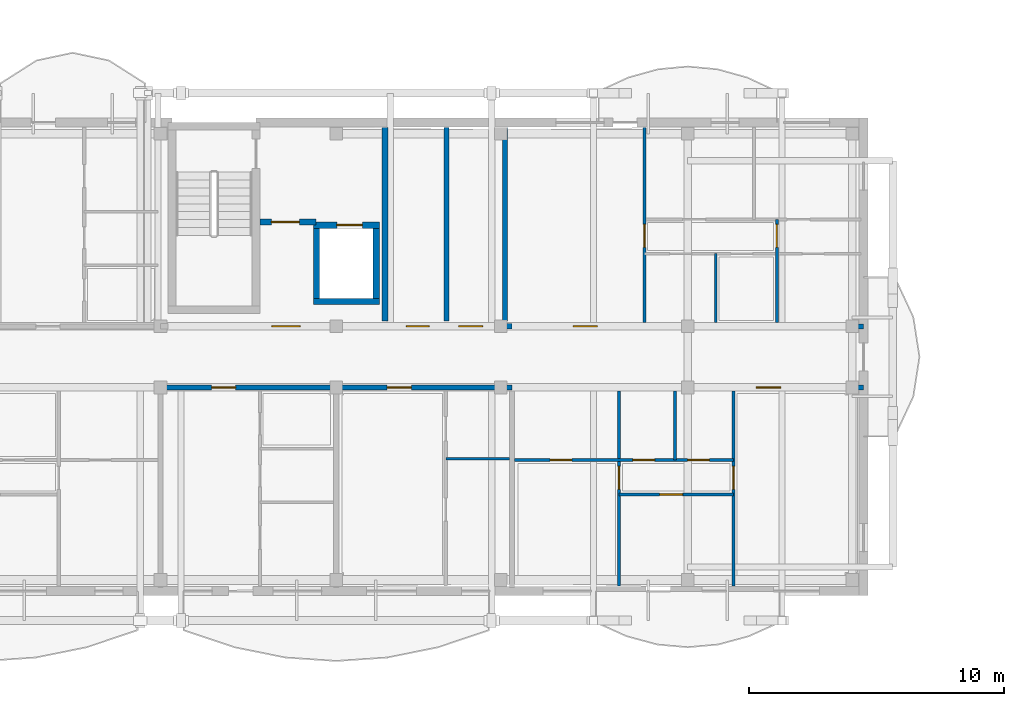
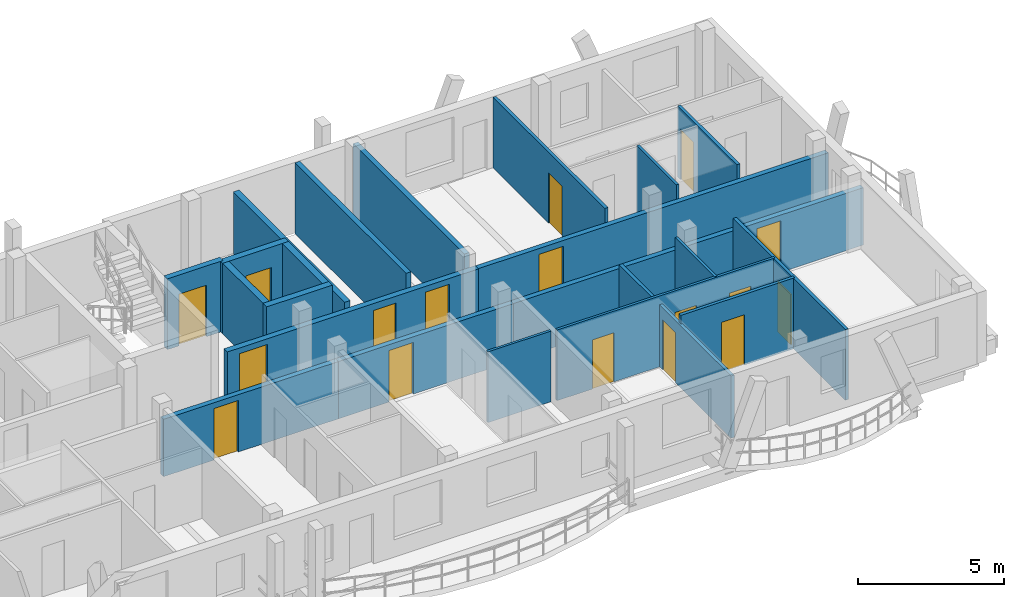
# One storey, part 17 of 42: 22 walls, 17 doors, 17 openings.
"""IFC4 building model written with IfcOpenShell, lengths in metres."""

from ifc_helpers import new_model, si_unit, direction, frame, frame_2d, origin, origin_with_axes, place, context, subcontext, project, spatial, rectangle, extrude, material, layer, layer_set, type_object, element, fill, save


model = new_model("IFC4")

# Units and contexts
model_context = context("Model", 3, precision=1e-05, world=origin(), true_north=direction((0.0, 1.0)))
body_context = subcontext(model_context, "Body", "Model", "MODEL_VIEW")
ifc_project = project(units=[si_unit("LENGTHUNIT", "METRE"), si_unit("AREAUNIT", "SQUARE_METRE"), si_unit("VOLUMEUNIT", "CUBIC_METRE"), si_unit("PLANEANGLEUNIT", "RADIAN"), si_unit("MASSUNIT", "GRAM", prefix="KILO")], contexts=[model_context])

# Site, building, storey
site_placement = place(None, origin())
site = spatial("IfcSite", under=ifc_project, at=site_placement, CompositionType="ELEMENT")
building_placement = place(site_placement, origin())
building = spatial("IfcBuilding", under=site, at=building_placement, Name="Zavelmont Quarter", CompositionType="ELEMENT")
storey_placement = place(building_placement, frame((0.0, 0.0, 24.0)))
storey = spatial("IfcBuildingStorey", under=building, at=storey_placement, Name="L07", CompositionType="ELEMENT", Elevation=24.0)

# Walls
ifc_material_1 = material(Name="Calcium-silicate blockwork and acoustic plaster", Category="masonry")
ifc_layer_1 = layer(ifc_material_1, 0.199951171875)
ifc_layer_set_1 = layer_set([ifc_layer_1], Name="Calcium-silicate blockwork and acoustic plaster")
wall_type_1 = type_object("IfcWallType", Name="IW01", PredefinedType="PARTITIONING", material=ifc_layer_set_1)
for number, where, z_axis, x_axis, name in (
    (1, (38.824951171875, 10.60009765625, 0.0), (0.0, 0.0, 1.0), (0.0, 1.0, 0.0), "L07 Service riser divider wall IW01"),
    (2, (41.1201171875, 10.60009765625, 0.0), (0.0, 0.0, 1.0), (0.0, 1.0, 0.0), "L07 Core service end wall IW01"),
):
    element("IfcWall", number, at=place(storey_placement, frame(where, z_axis=z_axis, x_axis=x_axis)), inside=storey, type_object=wall_type_1, Name=name, PredefinedType="PARTITIONING", context=body_context, shape_type="SweptSolid", body=[
        extrude(rectangle(XDim=7.599853515625, YDim=0.199951171875, at=frame_2d((3.7998046875, 0.0))), origin(), (0.0, 0.0, 1.0), 2.949951171875),
    ])

# Wall, opening, door
wall_1_placement = place(storey_placement, frame((27.60009765625, 8.0, 0.0), z_axis=(0.0, 0.0, 1.0), x_axis=(1.0, 0.0, 0.0)))
wall_1 = element("IfcWall", 3, at=wall_1_placement, inside=storey, type_object=wall_type_1, Name="L07 Corridor compartment wall IW01", PredefinedType="PARTITIONING", context=body_context, shape_type="SweptSolid", body=[
    extrude(rectangle(XDim=6.89990234375, YDim=0.199951171875, at=frame_2d((3.449951171875, 0.0))), origin(), (0.0, 0.0, 1.0), 2.389892578125),
])
opening_1_placement = place(wall_1_placement, frame((2.0, 0.0, 0.0)))
opening_1 = element("IfcOpeningElement", 4, at=opening_1_placement, cuts=wall_1, Name="Opening DR02", PredefinedType="OPENING", context=body_context, shape_type="SweptSolid", body=[
    extrude(rectangle(XDim=0.949951171875, YDim=2.14990234375, at=frame_2d((0.47509765625, 1.074951171875))), frame((0.0, 0.11181640625, 0.0), z_axis=(0.0, -1.0, 0.0), x_axis=(1.0, 0.0, 0.0)), (0.0, 0.0, 1.0), 0.223876953125),
])
ifc_material_2 = material(Name="Solid-core oak fire leaf in steel frame", Category="steel")
door_type_1 = type_object("IfcDoorType", Name="DR02", OperationType="NOTDEFINED", PredefinedType="DOOR", material=ifc_material_2)
door_1_placement = place(opening_1_placement, frame((0.949951171875, 0.0, 0.0), z_axis=(0.0, 0.0, 1.0), x_axis=(-1.0, 0.0, 0.0)))
door_1 = element("IfcDoor", 5, at=door_1_placement, inside=storey, type_object=door_type_1, Name="L07 door DR02", OperationType="SINGLE_SWING_RIGHT", OverallHeight=2.14990234375, OverallWidth=0.949951171875, PredefinedType="DOOR", context=body_context, shape_type="SweptSolid", body=[
    extrude(rectangle(XDim=0.949951171875, YDim=2.14990234375, at=frame_2d((0.47509765625, 1.074951171875))), frame((0.0, 0.02490234375, 0.0), z_axis=(0.0, -1.0, 0.0), x_axis=(1.0, 0.0, 0.0)), (0.0, 0.0, 1.0), 0.050048828125),
])
fill(opening_1, door_1)

wall_2_placement = place(storey_placement, frame((34.5, 8.0, 0.0), z_axis=(0.0, 0.0, 1.0), x_axis=(1.0, 0.0, 0.0)))
wall_2 = element("IfcWall", 6, at=wall_2_placement, inside=storey, type_object=wall_type_1, Name="L07 Corridor compartment wall IW01", PredefinedType="PARTITIONING", context=body_context, shape_type="SweptSolid", body=[
    extrude(rectangle(XDim=6.89990234375, YDim=0.199951171875, at=frame_2d((3.449951171875, 0.0))), origin(), (0.0, 0.0, 1.0), 2.389892578125),
])
opening_2_placement = place(wall_2_placement, frame((2.0, 0.0, 0.0)))
opening_2 = element("IfcOpeningElement", 7, at=opening_2_placement, cuts=wall_2, Name="Opening DR02", PredefinedType="OPENING", context=body_context, shape_type="SweptSolid", body=[
    extrude(rectangle(XDim=0.949951171875, YDim=2.14990234375, at=frame_2d((0.47509765625, 1.074951171875))), frame((0.0, 0.11181640625, 0.0), z_axis=(0.0, -1.0, 0.0), x_axis=(1.0, 0.0, 0.0)), (0.0, 0.0, 1.0), 0.223876953125),
])
door_2_placement = place(opening_2_placement, frame((0.949951171875, 0.0, 0.0), z_axis=(0.0, 0.0, 1.0), x_axis=(-1.0, 0.0, 0.0)))
door_2 = element("IfcDoor", 8, at=door_2_placement, inside=storey, type_object=door_type_1, Name="L07 door DR02", OperationType="SINGLE_SWING_LEFT", OverallHeight=2.14990234375, OverallWidth=0.949951171875, PredefinedType="DOOR", context=body_context, shape_type="SweptSolid", body=[
    extrude(rectangle(XDim=0.949951171875, YDim=2.14990234375, at=frame_2d((0.47509765625, 1.074951171875))), frame((0.0, 0.02490234375, 0.0), z_axis=(0.0, -1.0, 0.0), x_axis=(1.0, 0.0, 0.0)), (0.0, 0.0, 1.0), 0.050048828125),
])
fill(opening_2, door_2)

wall_3_placement = place(storey_placement, frame((41.39990234375, 8.0, 0.0), z_axis=(0.0, 0.0, 1.0), x_axis=(1.0, 0.0, 0.0)))
wall_3 = element("IfcWall", 9, at=wall_3_placement, inside=storey, type_object=wall_type_1, Name="L07 Corridor compartment wall IW01", PredefinedType="PARTITIONING", context=body_context, shape_type="SweptSolid", body=[
    extrude(rectangle(XDim=13.800048828125, YDim=0.199951171875, at=frame_2d((6.89990234375, 0.0))), origin(), (0.0, 0.0, 1.0), 2.389892578125),
])
opening_3_placement = place(wall_3_placement, frame((9.60009765625, 0.0, 0.0)))
opening_3 = element("IfcOpeningElement", 10, at=opening_3_placement, cuts=wall_3, Name="Opening DR02", PredefinedType="OPENING", context=body_context, shape_type="SweptSolid", body=[
    extrude(rectangle(XDim=0.949951171875, YDim=2.14990234375, at=frame_2d((0.47509765625, 1.074951171875))), frame((0.0, 0.11181640625, 0.0), z_axis=(0.0, -1.0, 0.0), x_axis=(1.0, 0.0, 0.0)), (0.0, 0.0, 1.0), 0.223876953125),
])
door_3_placement = place(opening_3_placement, frame((0.949951171875, 0.0, 0.0), z_axis=(0.0, 0.0, 1.0), x_axis=(-1.0, 0.0, 0.0)))
door_3 = element("IfcDoor", 11, at=door_3_placement, inside=storey, type_object=door_type_1, Name="L07 door DR02", OperationType="SINGLE_SWING_LEFT", OverallHeight=2.14990234375, OverallWidth=0.949951171875, PredefinedType="DOOR", context=body_context, shape_type="SweptSolid", body=[
    extrude(rectangle(XDim=0.949951171875, YDim=2.14990234375, at=frame_2d((0.47509765625, 1.074951171875))), frame((0.0, 0.02490234375, 0.0), z_axis=(0.0, -1.0, 0.0), x_axis=(1.0, 0.0, 0.0)), (0.0, 0.0, 1.0), 0.050048828125),
])
fill(opening_3, door_3)

wall_4_placement = place(storey_placement, frame((41.39990234375, 10.39990234375, 0.0), z_axis=(0.0, 0.0, 1.0), x_axis=(1.0, 0.0, 0.0)))
wall_4 = element("IfcWall", 12, at=wall_4_placement, inside=storey, type_object=wall_type_1, Name="L07 Corridor compartment wall IW01", PredefinedType="PARTITIONING", context=body_context, shape_type="SweptSolid", body=[
    extrude(rectangle(XDim=13.800048828125, YDim=0.199951171875, at=frame_2d((6.89990234375, 0.0))), origin(), (0.0, 0.0, 1.0), 2.389892578125),
])
opening_4_placement = place(wall_4_placement, frame((2.39990234375, 0.0, 0.0)))
opening_4 = element("IfcOpeningElement", 13, at=opening_4_placement, cuts=wall_4, Name="Opening DR02", PredefinedType="OPENING", context=body_context, shape_type="SweptSolid", body=[
    extrude(rectangle(XDim=0.949951171875, YDim=2.14990234375, at=frame_2d((0.47509765625, 1.074951171875))), frame((0.0, 0.11181640625, 0.0), z_axis=(0.0, -1.0, 0.0), x_axis=(1.0, 0.0, 0.0)), (0.0, 0.0, 1.0), 0.223876953125),
])
door_4_placement = place(opening_4_placement, origin_with_axes())
door_4 = element("IfcDoor", 14, at=door_4_placement, inside=storey, type_object=door_type_1, Name="L07 door DR02", OperationType="SINGLE_SWING_RIGHT", OverallHeight=2.14990234375, OverallWidth=0.949951171875, PredefinedType="DOOR", context=body_context, shape_type="SweptSolid", body=[
    extrude(rectangle(XDim=0.949951171875, YDim=2.14990234375, at=frame_2d((0.47509765625, 1.074951171875))), frame((0.0, 0.02490234375, 0.0), z_axis=(0.0, -1.0, 0.0), x_axis=(1.0, 0.0, 0.0)), (0.0, 0.0, 1.0), 0.050048828125),
])
fill(opening_4, door_4)

# Wall
ifc_material_3 = material(Name="Reinforced masonry fire compartment wall", Category="masonry")
ifc_layer_2 = layer(ifc_material_3, 0.22509765625)
ifc_layer_set_2 = layer_set([ifc_layer_2], Name="Reinforced masonry fire compartment wall")
wall_type_2 = type_object("IfcWallType", Name="IW02", PredefinedType="PARTITIONING", material=ifc_layer_set_2)
wall_5_placement = place(storey_placement, frame((36.409912109375, 10.60009765625, 0.0), z_axis=(0.0, 0.0, 1.0), x_axis=(0.0, 1.0, 0.0)))
element("IfcWall", 15, at=wall_5_placement, inside=storey, type_object=wall_type_2, Name="L07 Firefighting lobby enclosure wall IW02", PredefinedType="PARTITIONING", context=body_context, shape_type="SweptSolid", body=[
    extrude(rectangle(XDim=7.599853515625, YDim=0.22509765625, at=frame_2d((3.7998046875, 0.0))), origin(), (0.0, 0.0, 1.0), 2.590087890625),
])

# Wall, opening, door
wall_6_placement = place(storey_placement, frame((31.5, 14.5, 0.0), z_axis=(0.0, 0.0, 1.0), x_axis=(1.0, 0.0, 0.0)))
wall_6 = element("IfcWall", 16, at=wall_6_placement, inside=storey, type_object=wall_type_2, Name="L07 Firefighting lobby threshold wall IW02", PredefinedType="PARTITIONING", context=body_context, shape_type="SweptSolid", body=[
    extrude(rectangle(XDim=2.199951171875, YDim=0.22509765625, at=frame_2d((1.10009765625, 0.0))), origin(), (0.0, 0.0, 1.0), 2.949951171875),
])
opening_5_placement = place(wall_6_placement, frame((0.449951171875, 0.0, 0.0)))
opening_5 = element("IfcOpeningElement", 17, at=opening_5_placement, cuts=wall_6, Name="Opening DR10", PredefinedType="OPENING", context=body_context, shape_type="SweptSolid", body=[
    extrude(rectangle(XDim=1.10009765625, YDim=2.14990234375, at=frame_2d((0.550048828125, 1.074951171875))), frame((0.0, 0.12451171875, 0.0), z_axis=(0.0, -1.0, 0.0), x_axis=(1.0, 0.0, 0.0)), (0.0, 0.0, 1.0), 0.2490234375),
])
ifc_material_4 = material(Name="Painted steel lobby fire door", Category="steel")
door_type_2 = type_object("IfcDoorType", Name="DR10", OperationType="NOTDEFINED", PredefinedType="DOOR", material=ifc_material_4)
door_5_placement = place(opening_5_placement, origin_with_axes())
door_5 = element("IfcDoor", 18, at=door_5_placement, inside=storey, type_object=door_type_2, Name="Firefighting lobby fire door", OperationType="SINGLE_SWING_RIGHT", OverallHeight=2.14990234375, OverallWidth=1.10009765625, PredefinedType="DOOR", context=body_context, shape_type="SweptSolid", body=[
    extrude(rectangle(XDim=1.10009765625, YDim=2.14990234375, at=frame_2d((0.550048828125, 1.074951171875))), frame((0.0, 0.02490234375, 0.0), z_axis=(0.0, -1.0, 0.0), x_axis=(1.0, 0.0, 0.0)), (0.0, 0.0, 1.0), 0.050048828125),
])
fill(opening_5, door_5)

# Wall, openings, doors
wall_7_placement = place(storey_placement, frame((31.5, 10.39990234375, 0.0), z_axis=(0.0, 0.0, 1.0), x_axis=(1.0, 0.0, 0.0)))
wall_7 = element("IfcWall", 19, at=wall_7_placement, inside=storey, type_object=wall_type_2, Name="L07 Core corridor fire wall IW02", PredefinedType="PARTITIONING", context=body_context, shape_type="SweptSolid", body=[
    extrude(rectangle(XDim=9.89990234375, YDim=0.22509765625, at=frame_2d((4.949951171875, 0.0))), origin(), (0.0, 0.0, 1.0), 2.389892578125),
])
opening_6_placement = place(wall_7_placement, frame((0.47509765625, 0.0, 0.0)))
opening_6 = element("IfcOpeningElement", 20, at=opening_6_placement, cuts=wall_7, Name="Opening DR10", PredefinedType="OPENING", context=body_context, shape_type="SweptSolid", body=[
    extrude(rectangle(XDim=1.10009765625, YDim=2.14990234375, at=frame_2d((0.550048828125, 1.074951171875))), frame((0.0, 0.12451171875, 0.0), z_axis=(0.0, -1.0, 0.0), x_axis=(1.0, 0.0, 0.0)), (0.0, 0.0, 1.0), 0.2490234375),
])
opening_7_placement = place(wall_7_placement, frame((5.75, 0.0, 0.0)))
opening_7 = element("IfcOpeningElement", 21, at=opening_7_placement, cuts=wall_7, Name="Opening DR11", PredefinedType="OPENING", context=body_context, shape_type="SweptSolid", body=[
    extrude(rectangle(XDim=0.89990234375, YDim=2.10009765625, at=frame_2d((0.449951171875, 1.050048828125))), frame((0.0, 0.12451171875, 0.0), z_axis=(0.0, -1.0, 0.0), x_axis=(1.0, 0.0, 0.0)), (0.0, 0.0, 1.0), 0.2490234375),
])
opening_8_placement = place(wall_7_placement, frame((7.800048828125, 0.0, 0.0)))
opening_8 = element("IfcOpeningElement", 22, at=opening_8_placement, cuts=wall_7, Name="Opening DR02", PredefinedType="OPENING", context=body_context, shape_type="SweptSolid", body=[
    extrude(rectangle(XDim=0.949951171875, YDim=2.14990234375, at=frame_2d((0.47509765625, 1.074951171875))), frame((0.0, 0.12451171875, 0.0), z_axis=(0.0, -1.0, 0.0), x_axis=(1.0, 0.0, 0.0)), (0.0, 0.0, 1.0), 0.2490234375),
])
door_6_placement = place(opening_8_placement, frame((0.949951171875, 0.0, 0.0), z_axis=(0.0, 0.0, 1.0), x_axis=(-1.0, 0.0, 0.0)))
door_6 = element("IfcDoor", 23, at=door_6_placement, inside=storey, type_object=door_type_1, Name="Auxiliary store corridor door", OperationType="SINGLE_SWING_RIGHT", OverallHeight=2.14990234375, OverallWidth=0.949951171875, PredefinedType="DOOR", context=body_context, shape_type="SweptSolid", body=[
    extrude(rectangle(XDim=0.949951171875, YDim=2.14990234375, at=frame_2d((0.47509765625, 1.074951171875))), frame((0.0, 0.02490234375, 0.0), z_axis=(0.0, -1.0, 0.0), x_axis=(1.0, 0.0, 0.0)), (0.0, 0.0, 1.0), 0.050048828125),
])
fill(opening_8, door_6)
door_7_placement = place(opening_6_placement, origin_with_axes())
door_7 = element("IfcDoor", 24, at=door_7_placement, inside=storey, type_object=door_type_2, Name="Core vestibule fire door", OperationType="SINGLE_SWING_LEFT", OverallHeight=2.14990234375, OverallWidth=1.10009765625, PredefinedType="DOOR", context=body_context, shape_type="SweptSolid", body=[
    extrude(rectangle(XDim=1.10009765625, YDim=2.14990234375, at=frame_2d((0.550048828125, 1.074951171875))), frame((0.0, 0.02490234375, 0.0), z_axis=(0.0, -1.0, 0.0), x_axis=(1.0, 0.0, 0.0)), (0.0, 0.0, 1.0), 0.050048828125),
])
fill(opening_6, door_7)
ifc_material_5 = material(Name="Painted steel service-riser fire door", Category="steel")
door_type_3 = type_object("IfcDoorType", Name="DR11", OperationType="NOTDEFINED", PredefinedType="DOOR", material=ifc_material_5)
door_8_placement = place(opening_7_placement, frame((0.89990234375, 0.0, 0.0), z_axis=(0.0, 0.0, 1.0), x_axis=(-1.0, 0.0, 0.0)))
door_8 = element("IfcDoor", 25, at=door_8_placement, inside=storey, type_object=door_type_3, Name="Service riser fire door", OperationType="SINGLE_SWING_LEFT", OverallHeight=2.10009765625, OverallWidth=0.89990234375, PredefinedType="DOOR", context=body_context, shape_type="SweptSolid", body=[
    extrude(rectangle(XDim=0.89990234375, YDim=2.10009765625, at=frame_2d((0.449951171875, 1.050048828125))), frame((0.0, 0.02490234375, 0.0), z_axis=(0.0, -1.0, 0.0), x_axis=(1.0, 0.0, 0.0)), (0.0, 0.0, 1.0), 0.050048828125),
])
fill(opening_7, door_8)

# Wall, opening, door
ifc_material_6 = material(Name="Double gypsum board on acoustic steel stud", Category="steel")
ifc_layer_3 = layer(ifc_material_6, 0.125)
ifc_layer_set_3 = layer_set([ifc_layer_3], Name="Double gypsum board on acoustic steel stud")
wall_type_3 = type_object("IfcWallType", Name="IW03", PredefinedType="PARTITIONING", material=ifc_layer_set_3)
wall_8_placement = place(storey_placement, frame((50.10009765625, 7.85009765625, 0.0), z_axis=(0.0, 0.0, 1.0), x_axis=(0.0, -1.0, 0.0)))
wall_8 = element("IfcWall", 26, at=wall_8_placement, inside=storey, type_object=wall_type_3, Name="L07 Partition IW03", PredefinedType="PARTITIONING", context=body_context, shape_type="SweptSolid", body=[
    extrude(rectangle(XDim=7.650146484375, YDim=0.125, at=frame_2d((3.8251953125, 0.0))), origin(), (0.0, 0.0, 1.0), 2.949951171875),
])
opening_9_placement = place(wall_8_placement, frame((2.949951171875, 0.0, 0.0)))
opening_9 = element("IfcOpeningElement", 27, at=opening_9_placement, cuts=wall_8, Name="Opening DR05", PredefinedType="OPENING", context=body_context, shape_type="SweptSolid", body=[
    extrude(rectangle(XDim=0.89990234375, YDim=2.10009765625, at=frame_2d((0.449951171875, 1.050048828125))), frame((0.0, 0.074462890625, 0.0), z_axis=(0.0, -1.0, 0.0), x_axis=(1.0, 0.0, 0.0)), (0.0, 0.0, 1.0), 0.14892578125),
])
ifc_material_7 = material(Name="Engineered oak flush interior door")
door_type_4 = type_object("IfcDoorType", Name="DR05", OperationType="NOTDEFINED", PredefinedType="DOOR", material=ifc_material_7)
door_9_placement = place(opening_9_placement, origin_with_axes())
door_9 = element("IfcDoor", 28, at=door_9_placement, inside=storey, type_object=door_type_4, Name="L07 door DR05", OperationType="SINGLE_SWING_LEFT", OverallHeight=2.10009765625, OverallWidth=0.89990234375, PredefinedType="DOOR", context=body_context, shape_type="SweptSolid", body=[
    extrude(rectangle(XDim=0.89990234375, YDim=2.10009765625, at=frame_2d((0.449951171875, 1.050048828125))), frame((0.0, 0.02490234375, 0.0), z_axis=(0.0, -1.0, 0.0), x_axis=(1.0, 0.0, 0.0)), (0.0, 0.0, 1.0), 0.050048828125),
])
fill(opening_9, door_9)

wall_9_placement = place(storey_placement, frame((45.60009765625, 7.85009765625, 0.0), z_axis=(0.0, 0.0, 1.0), x_axis=(0.0, -1.0, 0.0)))
wall_9 = element("IfcWall", 29, at=wall_9_placement, inside=storey, type_object=wall_type_3, Name="L07 Partition IW03", PredefinedType="PARTITIONING", context=body_context, shape_type="SweptSolid", body=[
    extrude(rectangle(XDim=7.650146484375, YDim=0.125, at=frame_2d((3.8251953125, 0.0))), origin(), (0.0, 0.0, 1.0), 2.590087890625),
])
opening_10_placement = place(wall_9_placement, frame((2.949951171875, 0.0, 0.0)))
opening_10 = element("IfcOpeningElement", 30, at=opening_10_placement, cuts=wall_9, Name="Opening DR05", PredefinedType="OPENING", context=body_context, shape_type="SweptSolid", body=[
    extrude(rectangle(XDim=0.89990234375, YDim=2.10009765625, at=frame_2d((0.449951171875, 1.050048828125))), frame((0.0, 0.074462890625, 0.0), z_axis=(0.0, -1.0, 0.0), x_axis=(1.0, 0.0, 0.0)), (0.0, 0.0, 1.0), 0.14892578125),
])
door_10_placement = place(opening_10_placement, frame((0.89990234375, 0.0, 0.0), z_axis=(0.0, 0.0, 1.0), x_axis=(-1.0, 0.0, 0.0)))
door_10 = element("IfcDoor", 31, at=door_10_placement, inside=storey, type_object=door_type_4, Name="L07 door DR05", OperationType="SINGLE_SWING_RIGHT", OverallHeight=2.10009765625, OverallWidth=0.89990234375, PredefinedType="DOOR", context=body_context, shape_type="SweptSolid", body=[
    extrude(rectangle(XDim=0.89990234375, YDim=2.10009765625, at=frame_2d((0.449951171875, 1.050048828125))), frame((0.0, 0.02490234375, 0.0), z_axis=(0.0, -1.0, 0.0), x_axis=(1.0, 0.0, 0.0)), (0.0, 0.0, 1.0), 0.050048828125),
])
fill(opening_10, door_10)

wall_10_placement = place(storey_placement, frame((45.60009765625, 3.800048828125, 0.0), z_axis=(0.0, 0.0, 1.0), x_axis=(1.0, 0.0, 0.0)))
wall_10 = element("IfcWall", 32, at=wall_10_placement, inside=storey, type_object=wall_type_3, Name="L07 Partition IW03", PredefinedType="PARTITIONING", context=body_context, shape_type="SweptSolid", body=[
    extrude(rectangle(XDim=4.5, YDim=0.125, at=frame_2d((2.25, 0.0))), origin(), (0.0, 0.0, 1.0), 2.949951171875),
])
opening_11_placement = place(wall_10_placement, frame((1.60009765625, 0.0, 0.0)))
opening_11 = element("IfcOpeningElement", 33, at=opening_11_placement, cuts=wall_10, Name="Opening DR05", PredefinedType="OPENING", context=body_context, shape_type="SweptSolid", body=[
    extrude(rectangle(XDim=0.89990234375, YDim=2.10009765625, at=frame_2d((0.449951171875, 1.050048828125))), frame((0.0, 0.074462890625, 0.0), z_axis=(0.0, -1.0, 0.0), x_axis=(1.0, 0.0, 0.0)), (0.0, 0.0, 1.0), 0.14892578125),
])
door_11_placement = place(opening_11_placement, frame((0.89990234375, 0.0, 0.0), z_axis=(0.0, 0.0, 1.0), x_axis=(-1.0, 0.0, 0.0)))
door_11 = element("IfcDoor", 34, at=door_11_placement, inside=storey, type_object=door_type_4, Name="L07 door DR05", OperationType="SINGLE_SWING_RIGHT", OverallHeight=2.10009765625, OverallWidth=0.89990234375, PredefinedType="DOOR", context=body_context, shape_type="SweptSolid", body=[
    extrude(rectangle(XDim=0.89990234375, YDim=2.10009765625, at=frame_2d((0.449951171875, 1.050048828125))), frame((0.0, 0.02490234375, 0.0), z_axis=(0.0, -1.0, 0.0), x_axis=(1.0, 0.0, 0.0)), (0.0, 0.0, 1.0), 0.050048828125),
])
fill(opening_11, door_11)

wall_11_placement = place(storey_placement, frame((46.60009765625, 10.550048828125, 0.0), z_axis=(0.0, 0.0, 1.0), x_axis=(0.0, 1.0, 0.0)))
wall_11 = element("IfcWall", 35, at=wall_11_placement, inside=storey, type_object=wall_type_3, Name="L07 Partition IW03", PredefinedType="PARTITIONING", context=body_context, shape_type="SweptSolid", body=[
    extrude(rectangle(XDim=7.64990234375, YDim=0.125, at=frame_2d((3.824951171875, 0.0))), origin(), (0.0, 0.0, 1.0), 2.949951171875),
])
opening_12_placement = place(wall_11_placement, frame((2.949951171875, 0.0, 0.0)))
opening_12 = element("IfcOpeningElement", 36, at=opening_12_placement, cuts=wall_11, Name="Opening DR05", PredefinedType="OPENING", context=body_context, shape_type="SweptSolid", body=[
    extrude(rectangle(XDim=0.89990234375, YDim=2.10009765625, at=frame_2d((0.449951171875, 1.050048828125))), frame((0.0, 0.074462890625, 0.0), z_axis=(0.0, -1.0, 0.0), x_axis=(1.0, 0.0, 0.0)), (0.0, 0.0, 1.0), 0.14892578125),
])
door_12_placement = place(opening_12_placement, frame((0.89990234375, 0.0, 0.0), z_axis=(0.0, 0.0, 1.0), x_axis=(-1.0, 0.0, 0.0)))
door_12 = element("IfcDoor", 37, at=door_12_placement, inside=storey, type_object=door_type_4, Name="L07 door DR05", OperationType="SINGLE_SWING_RIGHT", OverallHeight=2.10009765625, OverallWidth=0.89990234375, PredefinedType="DOOR", context=body_context, shape_type="SweptSolid", body=[
    extrude(rectangle(XDim=0.89990234375, YDim=2.10009765625, at=frame_2d((0.449951171875, 1.050048828125))), frame((0.0, 0.02490234375, 0.0), z_axis=(0.0, -1.0, 0.0), x_axis=(1.0, 0.0, 0.0)), (0.0, 0.0, 1.0), 0.050048828125),
])
fill(opening_12, door_12)

wall_12_placement = place(storey_placement, frame((51.800048828125, 10.550048828125, 0.0), z_axis=(0.0, 0.0, 1.0), x_axis=(0.0, 1.0, 0.0)))
wall_12 = element("IfcWall", 38, at=wall_12_placement, inside=storey, type_object=wall_type_3, Name="L07 Partition IW03", PredefinedType="PARTITIONING", context=body_context, shape_type="SweptSolid", body=[
    extrude(rectangle(XDim=4.050048828125, YDim=0.125, at=frame_2d((2.02490234375, 0.0))), origin(), (0.0, 0.0, 1.0), 2.949951171875),
])
opening_13_placement = place(wall_12_placement, frame((2.949951171875, 0.0, 0.0)))
opening_13 = element("IfcOpeningElement", 39, at=opening_13_placement, cuts=wall_12, Name="Opening DR05", PredefinedType="OPENING", context=body_context, shape_type="SweptSolid", body=[
    extrude(rectangle(XDim=0.89990234375, YDim=2.10009765625, at=frame_2d((0.449951171875, 1.050048828125))), frame((0.0, 0.074462890625, 0.0), z_axis=(0.0, -1.0, 0.0), x_axis=(1.0, 0.0, 0.0)), (0.0, 0.0, 1.0), 0.14892578125),
])
door_13_placement = place(opening_13_placement, origin_with_axes())
door_13 = element("IfcDoor", 40, at=door_13_placement, inside=storey, type_object=door_type_4, Name="L07 door DR05", OperationType="SINGLE_SWING_LEFT", OverallHeight=2.10009765625, OverallWidth=0.89990234375, PredefinedType="DOOR", context=body_context, shape_type="SweptSolid", body=[
    extrude(rectangle(XDim=0.89990234375, YDim=2.10009765625, at=frame_2d((0.449951171875, 1.050048828125))), frame((0.0, 0.02490234375, 0.0), z_axis=(0.0, -1.0, 0.0), x_axis=(1.0, 0.0, 0.0)), (0.0, 0.0, 1.0), 0.050048828125),
])
fill(opening_13, door_13)

# Walls
ifc_material_8 = material(Name="Moisture-resistant gypsum board on steel stud", Category="steel")
ifc_layer_4 = layer(ifc_material_8, 0.10009765625)
ifc_layer_set_4 = layer_set([ifc_layer_4], Name="Moisture-resistant gypsum board on steel stud")
wall_type_4 = type_object("IfcWallType", Name="IW04", PredefinedType="PARTITIONING", material=ifc_layer_set_4)
wall_13_placement = place(storey_placement, frame((38.800048828125, 5.199951171875, 0.0), z_axis=(0.0, 0.0, 1.0), x_axis=(1.0, 0.0, 0.0)))
element("IfcWall", 41, at=wall_13_placement, inside=storey, type_object=wall_type_4, Name="L07 Partition IW04", PredefinedType="PARTITIONING", context=body_context, shape_type="SweptSolid", body=[
    extrude(rectangle(XDim=2.5, YDim=0.10009765625, at=frame_2d((1.25, 0.0))), origin(), (0.0, 0.0, 1.0), 2.949951171875),
])
wall_14_placement = place(storey_placement, frame((47.800048828125, 7.85009765625, 0.0), z_axis=(0.0, 0.0, 1.0), x_axis=(0.0, -1.0, 0.0)))
element("IfcWall", 42, at=wall_14_placement, inside=storey, type_object=wall_type_4, Name="L07 Partition IW04", PredefinedType="PARTITIONING", context=body_context, shape_type="SweptSolid", body=[
    extrude(rectangle(XDim=2.7001953125, YDim=0.10009765625, at=frame_2d((1.35009765625, 0.0))), origin(), (0.0, 0.0, 1.0), 2.949951171875),
])

# Wall, openings, doors
wall_15_placement = place(storey_placement, frame((41.5, 5.14990234375, 0.0), z_axis=(0.0, 0.0, 1.0), x_axis=(1.0, 0.0, 0.0)))
wall_15 = element("IfcWall", 43, at=wall_15_placement, inside=storey, type_object=wall_type_4, Name="L07 Partition IW04", PredefinedType="PARTITIONING", context=body_context, shape_type="SweptSolid", body=[
    extrude(rectangle(XDim=8.60009765625, YDim=0.10009765625, at=frame_2d((4.300048828125, 0.0))), origin(), (0.0, 0.0, 1.0), 2.949951171875),
])
opening_14_placement = place(wall_15_placement, frame((1.39990234375, 0.0, 0.0)))
opening_14 = element("IfcOpeningElement", 44, at=opening_14_placement, cuts=wall_15, Name="Opening DR06", PredefinedType="OPENING", context=body_context, shape_type="SweptSolid", body=[
    extrude(rectangle(XDim=0.85009765625, YDim=2.050048828125, at=frame_2d((0.425048828125, 1.02490234375))), frame((0.0, 0.06201171875, 0.0), z_axis=(0.0, -1.0, 0.0), x_axis=(1.0, 0.0, 0.0)), (0.0, 0.0, 1.0), 0.1240234375),
])
opening_15_placement = place(wall_15_placement, frame((4.64990234375, 0.0, 0.0)))
opening_15 = element("IfcOpeningElement", 45, at=opening_15_placement, cuts=wall_15, Name="Opening DR06", PredefinedType="OPENING", context=body_context, shape_type="SweptSolid", body=[
    extrude(rectangle(XDim=0.85009765625, YDim=2.050048828125, at=frame_2d((0.425048828125, 1.02490234375))), frame((0.0, 0.06201171875, 0.0), z_axis=(0.0, -1.0, 0.0), x_axis=(1.0, 0.0, 0.0)), (0.0, 0.0, 1.0), 0.1240234375),
])
opening_16_placement = place(wall_15_placement, frame((6.800048828125, 0.0, 0.0)))
opening_16 = element("IfcOpeningElement", 46, at=opening_16_placement, cuts=wall_15, Name="Opening DR16", PredefinedType="OPENING", context=body_context, shape_type="SweptSolid", body=[
    extrude(rectangle(XDim=0.85009765625, YDim=2.10009765625, at=frame_2d((0.425048828125, 1.050048828125))), frame((0.0, 0.06201171875, 0.0), z_axis=(0.0, -1.0, 0.0), x_axis=(1.0, 0.0, 0.0)), (0.0, 0.0, 1.0), 0.1240234375),
])
ifc_material_9 = material(Name="Moisture-resistant painted wet-room door")
door_type_5 = type_object("IfcDoorType", Name="DR06", OperationType="NOTDEFINED", PredefinedType="DOOR", material=ifc_material_9)
door_14_placement = place(opening_14_placement, origin_with_axes())
door_14 = element("IfcDoor", 47, at=door_14_placement, inside=storey, type_object=door_type_5, Name="L07 door DR06", OperationType="SINGLE_SWING_LEFT", OverallHeight=2.050048828125, OverallWidth=0.85009765625, PredefinedType="DOOR", context=body_context, shape_type="SweptSolid", body=[
    extrude(rectangle(XDim=0.85009765625, YDim=2.050048828125, at=frame_2d((0.425048828125, 1.02490234375))), frame((0.0, 0.02490234375, 0.0), z_axis=(0.0, -1.0, 0.0), x_axis=(1.0, 0.0, 0.0)), (0.0, 0.0, 1.0), 0.050048828125),
])
fill(opening_14, door_14)
door_15_placement = place(opening_15_placement, frame((0.85009765625, 0.0, 0.0), z_axis=(0.0, 0.0, 1.0), x_axis=(-1.0, 0.0, 0.0)))
door_15 = element("IfcDoor", 48, at=door_15_placement, inside=storey, type_object=door_type_5, Name="L07 door DR06", OperationType="SINGLE_SWING_RIGHT", OverallHeight=2.050048828125, OverallWidth=0.85009765625, PredefinedType="DOOR", context=body_context, shape_type="SweptSolid", body=[
    extrude(rectangle(XDim=0.85009765625, YDim=2.050048828125, at=frame_2d((0.425048828125, 1.02490234375))), frame((0.0, 0.02490234375, 0.0), z_axis=(0.0, -1.0, 0.0), x_axis=(1.0, 0.0, 0.0)), (0.0, 0.0, 1.0), 0.050048828125),
])
fill(opening_15, door_15)
door_type_6 = type_object("IfcDoorType", Name="DR16", OperationType="NOTDEFINED", PredefinedType="DOOR", material=ifc_material_7)
door_16_placement = place(opening_16_placement, origin_with_axes())
door_16 = element("IfcDoor", 49, at=door_16_placement, inside=storey, type_object=door_type_6, Name="L07 door DR16", OperationType="SINGLE_SWING_LEFT", OverallHeight=2.10009765625, OverallWidth=0.85009765625, PredefinedType="DOOR", context=body_context, shape_type="SweptSolid", body=[
    extrude(rectangle(XDim=0.85009765625, YDim=2.10009765625, at=frame_2d((0.425048828125, 1.050048828125))), frame((0.0, 0.02490234375, 0.0), z_axis=(0.0, -1.0, 0.0), x_axis=(1.0, 0.0, 0.0)), (0.0, 0.0, 1.0), 0.050048828125),
])
fill(opening_16, door_16)

# Wall
wall_16_placement = place(storey_placement, frame((49.39990234375, 10.550048828125, 0.0), z_axis=(0.0, 0.0, 1.0), x_axis=(0.0, 1.0, 0.0)))
element("IfcWall", 50, at=wall_16_placement, inside=storey, type_object=wall_type_4, Name="L07 Partition IW04", PredefinedType="PARTITIONING", context=body_context, shape_type="SweptSolid", body=[
    extrude(rectangle(XDim=2.699951171875, YDim=0.10009765625, at=frame_2d((1.35009765625, 0.0))), origin(), (0.0, 0.0, 1.0), 2.949951171875),
])

# Wall, opening, door
ifc_material_10 = material(Name="Concrete C40/50", Category="concrete")
ifc_layer_5 = layer(ifc_material_10, 0.25)
ifc_layer_set_5 = layer_set([ifc_layer_5], Name="Concrete C40/50")
wall_type_5 = type_object("IfcWallType", Name="SW02", PredefinedType="SHEAR", material=ifc_layer_set_5)
wall_17_placement = place(storey_placement, frame((33.60009765625, 14.375, 0.0), z_axis=(0.0, 0.0, 1.0), x_axis=(1.0, 0.0, 0.0)))
wall_17 = element("IfcWall", 51, at=wall_17_placement, inside=storey, type_object=wall_type_5, Name="L07 Lift LF02 landing shaft wall SW02", PredefinedType="SHEAR", context=body_context, shape_type="SweptSolid", body=[
    extrude(rectangle(XDim=2.599853515625, YDim=0.25, at=frame_2d((1.2998046875, 0.0))), origin(), (0.0, 0.0, 1.0), 2.949951171875),
])
opening_17_placement = place(wall_17_placement, frame((0.925048828125, 0.0, 0.0)))
opening_17 = element("IfcOpeningElement", 52, at=opening_17_placement, cuts=wall_17, Name="Opening LD01", PredefinedType="OPENING", context=body_context, shape_type="SweptSolid", body=[
    extrude(rectangle(XDim=1.0, YDim=2.10009765625, at=frame_2d((0.5, 1.050048828125))), frame((0.0, 0.136962890625, 0.0), z_axis=(0.0, -1.0, 0.0), x_axis=(1.0, 0.0, 0.0)), (0.0, 0.0, 1.0), 0.27392578125),
])
ifc_material_11 = material(Name="Brushed stainless-steel automatic sliding landing door", Category="steel")
door_type_7 = type_object("IfcDoorType", Name="LD01", OperationType="SLIDING_TO_LEFT", PredefinedType="DOOR", material=ifc_material_11)
door_17_placement = place(opening_17_placement, origin_with_axes())
door_17 = element("IfcDoor", 53, at=door_17_placement, inside=storey, type_object=door_type_7, Name="Lift LF02 sliding landing door", OperationType="SLIDING_TO_LEFT", OverallHeight=2.10009765625, OverallWidth=1.0, PredefinedType="DOOR", context=body_context, shape_type="SweptSolid", body=[
    extrude(rectangle(XDim=1.0, YDim=2.10009765625, at=frame_2d((0.5, 1.050048828125))), frame((0.0, 0.02490234375, 0.0), z_axis=(0.0, -1.0, 0.0), x_axis=(1.0, 0.0, 0.0)), (0.0, 0.0, 1.0), 0.050048828125),
])
fill(opening_17, door_17)

# Walls
wall_18_placement = place(storey_placement, frame((33.60009765625, 11.375, 0.0), z_axis=(0.0, 0.0, 1.0), x_axis=(1.0, 0.0, 0.0)))
element("IfcWall", 54, at=wall_18_placement, inside=storey, type_object=wall_type_5, Name="L07 Lift LF02 back shaft wall SW02", PredefinedType="SHEAR", context=body_context, shape_type="SweptSolid", body=[
    extrude(rectangle(XDim=2.599853515625, YDim=0.25, at=frame_2d((1.2998046875, 0.0))), origin(), (0.0, 0.0, 1.0), 2.949951171875),
])
for number, where, z_axis, x_axis, name in (
    (55, (33.72509765625, 11.25, 0.0), (0.0, 0.0, 1.0), (0.0, 1.0, 0.0), "L07 Lift LF02 west shaft wall SW02"),
    (56, (36.074951171875, 11.25, 0.0), (0.0, 0.0, 1.0), (0.0, 1.0, 0.0), "L07 Lift LF02 east shaft wall SW02"),
):
    element("IfcWall", number, at=place(storey_placement, frame(where, z_axis=z_axis, x_axis=x_axis)), inside=storey, type_object=wall_type_5, Name=name, PredefinedType="SHEAR", context=body_context, shape_type="SweptSolid", body=[
        extrude(rectangle(XDim=3.25, YDim=0.25, at=frame_2d((1.625, 0.0))), origin(), (0.0, 0.0, 1.0), 2.949951171875),
    ])

save(model, "model.ifc")
